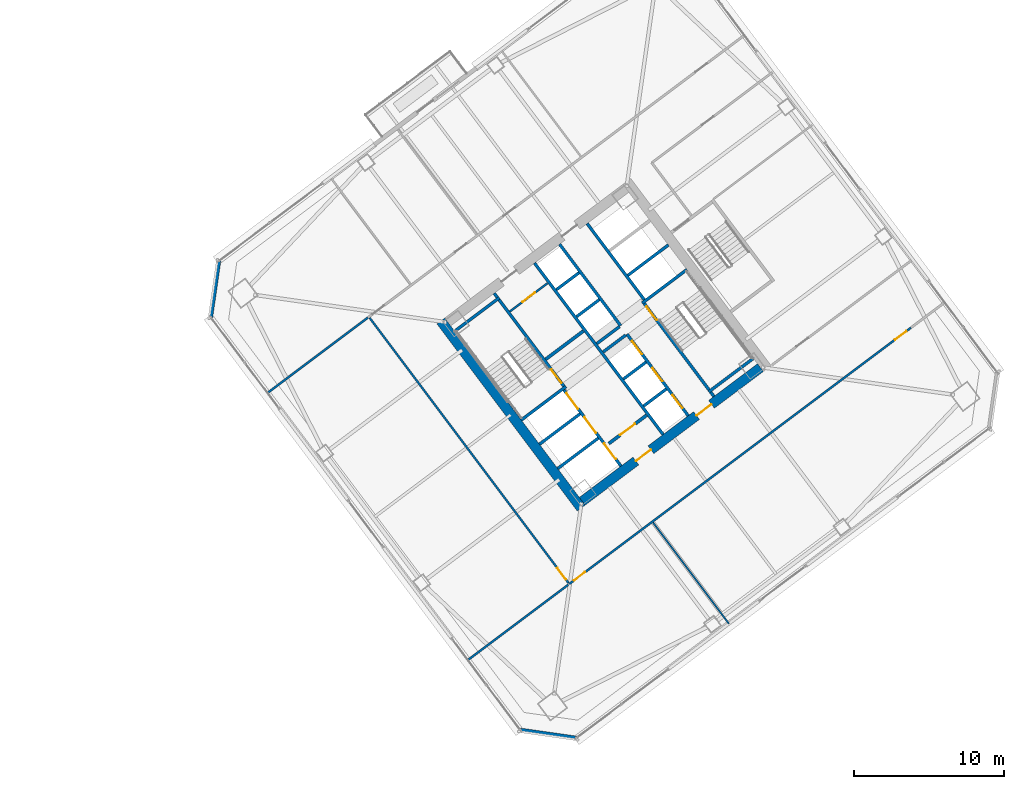
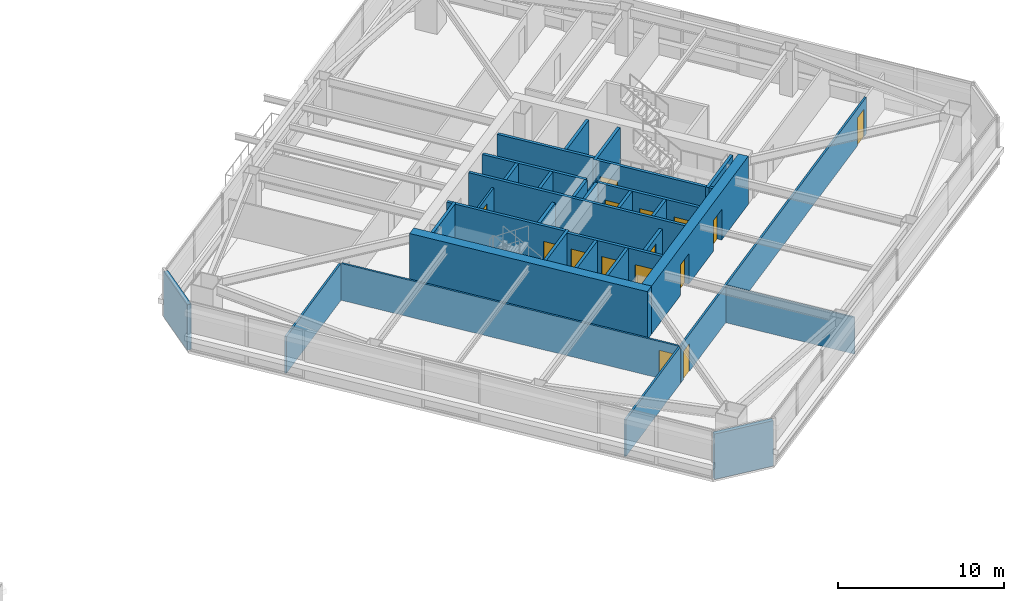
# One storey, part 35 of 44: 32 walls, 15 doors, 15 openings.
"""IFC4 building model written with IfcOpenShell, lengths in metres."""

from ifc_helpers import new_model, si_unit, direction, frame, frame_2d, origin, place, context, subcontext, project, spatial, rectangle, extrude, material, layer, layer_set, type_object, element, fill, save


model = new_model("IFC4")

# Units and contexts
model_context = context("Model", 3, precision=1e-05, world=origin(), true_north=direction((0.0, 1.0)))
body_context = subcontext(model_context, "Body", "Model", "MODEL_VIEW")
ifc_project = project(units=[si_unit("LENGTHUNIT", "METRE"), si_unit("AREAUNIT", "SQUARE_METRE"), si_unit("VOLUMEUNIT", "CUBIC_METRE"), si_unit("PLANEANGLEUNIT", "RADIAN"), si_unit("MASSUNIT", "GRAM", prefix="KILO")], contexts=[model_context])

# Site, building, storey
site_placement = place(None, origin())
site = spatial("IfcSite", under=ifc_project, at=site_placement, CompositionType="ELEMENT")
building_placement = place(site_placement, origin())
building = spatial("IfcBuilding", under=site, at=building_placement, Name="Tashvorn Skyway Center", CompositionType="ELEMENT")
storey_placement = place(building_placement, frame((0.0, 0.0, 92.050048828125)))
storey = spatial("IfcBuildingStorey", under=building, at=storey_placement, Name="L24", CompositionType="ELEMENT", Elevation=92.050048828125)

# Wall
ifc_material_1 = material(Name="Concrete C60/75", Category="concrete")
ifc_layer_1 = layer(ifc_material_1, 0.64990234375)
ifc_layer_set_1 = layer_set([ifc_layer_1], Name="Concrete C60/75")
wall_type_1 = type_object("IfcWallType", Name="WALL-CORE-650", PredefinedType="SHEAR", material=ifc_layer_set_1)
wall_1_placement = place(storey_placement, frame((112.47607421875, 21.10693359375, 0.0), z_axis=(0.0, 0.0, 1.0), x_axis=(-0.600005007985, 0.799996243986, 0.0)))
element("IfcWall", 1, at=wall_1_placement, inside=storey, type_object=wall_type_1, Name="Tower 2 L24 West Core Shear Wall", PredefinedType="SHEAR", context=body_context, shape_type="SweptSolid", body=[
    extrude(rectangle(XDim=15.60009765625, YDim=0.64990234375, at=frame_2d((7.800048828125, 0.0))), origin(), (0.0, 0.0, 1.0), 3.550048828125),
])

# Wall, openings, doors
wall_2_placement = place(storey_placement, frame((124.428955078125, 30.47802734375, 0.0), z_axis=(0.0, 0.0, 1.0), x_axis=(-0.799998028465, -0.600002628705, 0.0)))
wall_2 = element("IfcWall", 2, at=wall_2_placement, inside=storey, type_object=wall_type_1, Name="Tower 2 L24 South Core Shear Wall", PredefinedType="SHEAR", context=body_context, shape_type="SweptSolid", body=[
    extrude(rectangle(XDim=14.85986328125, YDim=0.64990234375, at=frame_2d((7.429931640625, 0.0))), origin(), (0.0, 0.0, 1.0), 3.550048828125),
])
opening_1_placement = place(wall_2_placement, frame((9.1298828125, 0.0, 0.0)))
opening_1 = element("IfcOpeningElement", 3, at=opening_1_placement, cuts=wall_2, Name="Opening D-FFL-1250", PredefinedType="OPENING", context=body_context, shape_type="SweptSolid", body=[
    extrude(rectangle(XDim=1.25, YDim=2.25, at=frame_2d((0.625, 1.125))), frame((0.0, 0.3349609375, 0.0), z_axis=(0.0, -1.0, 0.0), x_axis=(1.0, 0.0, 0.0)), (0.0, 0.0, 1.0), 0.669921875),
])
opening_2_placement = place(wall_2_placement, frame((4.080078125, 0.0, 0.0)))
opening_2 = element("IfcOpeningElement", 4, at=opening_2_placement, cuts=wall_2, Name="Opening D-FFL-1250", PredefinedType="OPENING", context=body_context, shape_type="SweptSolid", body=[
    extrude(rectangle(XDim=1.25, YDim=2.25, at=frame_2d((0.625, 1.125))), frame((0.0, 0.3349609375, 0.0), z_axis=(0.0, -1.0, 0.0), x_axis=(1.0, 0.0, 0.0)), (0.0, 0.0, 1.0), 0.669921875),
])
ifc_material_2 = material(Name="Hollow galvanized steel fire door assembly", Category="steel")
door_type_1 = type_object("IfcDoorType", Name="DOOR-FFL-1250", OperationType="NOTDEFINED", PredefinedType="DOOR", material=ifc_material_2)
door_1_placement = place(opening_1_placement, origin())
door_1 = element("IfcDoor", 5, at=door_1_placement, inside=storey, type_object=door_type_1, Name="Tower 2 L24 Core South Firefighting Exit Door", OperationType="SINGLE_SWING_LEFT", OverallHeight=2.25, OverallWidth=1.25, PredefinedType="DOOR", context=body_context, shape_type="SweptSolid", body=[
    extrude(rectangle(XDim=1.25, YDim=2.25, at=frame_2d((0.625, 1.125))), frame((0.0, 0.02490234375, 0.0), z_axis=(0.0, -1.0, 0.0), x_axis=(1.0, 0.0, 0.0)), (0.0, 0.0, 1.0), 0.050048828125),
])
fill(opening_1, door_1)
door_2_placement = place(opening_2_placement, origin())
door_2 = element("IfcDoor", 6, at=door_2_placement, inside=storey, type_object=door_type_1, Name="Tower 2 L24 Core South Lift Lobby Door", OperationType="SINGLE_SWING_RIGHT", OverallHeight=2.25, OverallWidth=1.25, PredefinedType="DOOR", context=body_context, shape_type="SweptSolid", body=[
    extrude(rectangle(XDim=1.25, YDim=2.25, at=frame_2d((0.625, 1.125))), frame((0.0, 0.02490234375, 0.0), z_axis=(0.0, -1.0, 0.0), x_axis=(1.0, 0.0, 0.0)), (0.0, 0.0, 1.0), 0.050048828125),
])
fill(opening_2, door_2)

# Walls
ifc_material_3 = material(Name="Precast concrete C40/50", Category="concrete")
ifc_layer_2 = layer(ifc_material_3, 0.280029296875)
ifc_layer_set_2 = layer_set([ifc_layer_2], Name="Precast concrete C40/50")
wall_type_2 = type_object("IfcWallType", Name="WALL-EXT-280", PredefinedType="SOLIDWALL", material=ifc_layer_set_2)
for number, where, z_axis, x_axis, name in (
    (7, (112.179931640625, 5.760009765625, 0.0), (0.0, 0.0, 1.0), (-0.989948214866, 0.141430307517, 0.0), "Tower 2 L24 SW Precast Chamfer Wall"),
    (8, (87.760009765625, 33.820068359375, 0.0), (0.0, 0.0, 1.0), (0.141430307517, 0.989948214866, 0.0), "Tower 2 L24 NW Precast Chamfer Wall"),
):
    element("IfcWall", number, at=place(storey_placement, frame(where, z_axis=z_axis, x_axis=x_axis)), inside=storey, type_object=wall_type_2, Name=name, PredefinedType="SOLIDWALL", context=body_context, shape_type="SweptSolid", body=[
        extrude(rectangle(XDim=3.818359375, YDim=0.280029296875, at=frame_2d((1.9091796875, 0.0))), origin(), (0.0, 0.0, 1.0), 3.349853515625),
    ])
ifc_material_4 = material(Name="Concrete C40/50", Category="concrete")
ifc_layer_3 = layer(ifc_material_4, 0.219970703125)
ifc_layer_set_3 = layer_set([ifc_layer_3], Name="Concrete C40/50")
wall_type_3 = type_object("IfcWallType", Name="WALL-FFL-220", PredefinedType="SOLIDWALL", material=ifc_layer_set_3)
wall_3_placement = place(storey_placement, frame((110.10400390625, 31.028076171875, 0.0), z_axis=(0.0, 0.0, 1.0), x_axis=(0.800018601094, 0.59997519774, 0.0)))
element("IfcWall", 9, at=wall_3_placement, inside=storey, type_object=wall_type_3, Name="Tower 2 L24 Firefighting Lobby North Wall", PredefinedType="SOLIDWALL", context=body_context, shape_type="SweptSolid", body=[
    extrude(rectangle(XDim=3.14990234375, YDim=0.219970703125, at=frame_2d((1.574951171875, 0.0))), origin(), (0.0, 0.0, 1.0), 2.702880859375),
])

# Wall, opening, door
wall_4_placement = place(storey_placement, frame((114.31591796875, 25.412109375, 0.0), z_axis=(0.0, 0.0, 1.0), x_axis=(0.800018601094, 0.59997519774, 0.0)))
wall_4 = element("IfcWall", 10, at=wall_4_placement, inside=storey, type_object=wall_type_3, Name="Tower 2 L24 Firefighting Lobby South Wall", PredefinedType="SOLIDWALL", context=body_context, shape_type="SweptSolid", body=[
    extrude(rectangle(XDim=3.14990234375, YDim=0.219970703125, at=frame_2d((1.574951171875, 0.0))), origin(), (0.0, 0.0, 1.0), 2.702880859375),
])
opening_3_placement = place(wall_4_placement, frame((0.949951171875, 0.0, 0.0)))
opening_3 = element("IfcOpeningElement", 11, at=opening_3_placement, cuts=wall_4, Name="Opening D-FFL-1250", PredefinedType="OPENING", context=body_context, shape_type="SweptSolid", body=[
    extrude(rectangle(XDim=1.25, YDim=2.25, at=frame_2d((0.625, 1.125))), frame((0.0, 0.119873046875, 0.0), z_axis=(0.0, -1.0, 0.0), x_axis=(1.0, 0.0, 0.0)), (0.0, 0.0, 1.0), 0.239990234375),
])
door_3_placement = place(opening_3_placement, origin())
door_3 = element("IfcDoor", 12, at=door_3_placement, inside=storey, type_object=door_type_1, Name="Tower 2 L24 Firefighting Lobby Egress Door", OperationType="SINGLE_SWING_LEFT", OverallHeight=2.25, OverallWidth=1.25, PredefinedType="DOOR", context=body_context, shape_type="SweptSolid", body=[
    extrude(rectangle(XDim=1.25, YDim=2.25, at=frame_2d((0.625, 1.125))), frame((0.0, 0.02490234375, 0.0), z_axis=(0.0, -1.0, 0.0), x_axis=(1.0, 0.0, 0.0)), (0.0, 0.0, 1.0), 0.050048828125),
])
fill(opening_3, door_3)

# Wall
ifc_material_5 = material(Name="Gypsum board on cold-formed steel stud framing", Category="steel")
ifc_layer_4 = layer(ifc_material_5, 0.110107421875)
ifc_layer_set_4 = layer_set([ifc_layer_4], Name="Gypsum board on cold-formed steel stud framing")
wall_type_4 = type_object("IfcWallType", Name="WALL-PART-110", PredefinedType="PARTITIONING", material=ifc_layer_set_4)
wall_5_placement = place(storey_placement, frame((122.327880859375, 13.39599609375, 0.0), z_axis=(0.0, 0.0, 1.0), x_axis=(-0.59999536615, 0.800003475366, 0.0)))
element("IfcWall", 13, at=wall_5_placement, inside=storey, type_object=wall_type_4, Name="Tower 2 L24 South Suite Partition 1", PredefinedType="PARTITIONING", context=body_context, shape_type="SweptSolid", body=[
    extrude(rectangle(XDim=8.429931640625, YDim=0.110107421875, at=frame_2d((4.21484375, 0.0))), origin(), (0.0, 0.0, 1.0), 2.702880859375),
])

# Wall, openings, doors
ifc_layer_5 = layer(ifc_material_5, 0.135009765625)
ifc_layer_set_5 = layer_set([ifc_layer_5], Name="Gypsum board on cold-formed steel stud framing")
wall_type_5 = type_object("IfcWallType", Name="WALL-PART-135", PredefinedType="PARTITIONING", material=ifc_layer_set_5)
wall_6_placement = place(storey_placement, frame((134.4619140625, 33.134033203125, 0.0), z_axis=(0.0, 0.0, 1.0), x_axis=(-0.799996913945, -0.600004114717, 0.0)))
wall_6 = element("IfcWall", 14, at=wall_6_placement, inside=storey, type_object=wall_type_5, Name="Tower 2 L24 South Suite Wall", PredefinedType="PARTITIONING", context=body_context, shape_type="SweptSolid", body=[
    extrude(rectangle(XDim=28.47998046875, YDim=0.135009765625, at=frame_2d((14.239990234375, 0.0))), origin(), (0.0, 0.0, 1.0), 2.702880859375),
])
opening_4_placement = place(wall_6_placement, frame((27.14990234375, 0.0, 0.0)))
opening_4 = element("IfcOpeningElement", 15, at=opening_4_placement, cuts=wall_6, Name="Opening D-INT-950", PredefinedType="OPENING", context=body_context, shape_type="SweptSolid", body=[
    extrude(rectangle(XDim=0.949951171875, YDim=2.050048828125, at=frame_2d((0.47509765625, 1.02490234375))), frame((0.0, 0.077392578125, 0.0), z_axis=(0.0, -1.0, 0.0), x_axis=(1.0, 0.0, 0.0)), (0.0, 0.0, 1.0), 0.155029296875),
])
opening_5_placement = place(wall_6_placement, frame((0.3798828125, 0.0, 0.0)))
opening_5 = element("IfcOpeningElement", 16, at=opening_5_placement, cuts=wall_6, Name="Opening D-INT-950", PredefinedType="OPENING", context=body_context, shape_type="SweptSolid", body=[
    extrude(rectangle(XDim=0.949951171875, YDim=2.050048828125, at=frame_2d((0.47509765625, 1.02490234375))), frame((0.0, 0.077392578125, 0.0), z_axis=(0.0, -1.0, 0.0), x_axis=(1.0, 0.0, 0.0)), (0.0, 0.0, 1.0), 0.155029296875),
])
ifc_material_6 = material(Name="Solid-core architectural oak veneer door")
door_type_2 = type_object("IfcDoorType", Name="DOOR-INT-950", OperationType="NOTDEFINED", PredefinedType="DOOR", material=ifc_material_6)
door_4_placement = place(opening_4_placement, origin())
door_4 = element("IfcDoor", 17, at=door_4_placement, inside=storey, type_object=door_type_2, Name="Tower 2 L24 Gallery Showroom Door", OperationType="SINGLE_SWING_RIGHT", OverallHeight=2.050048828125, OverallWidth=0.949951171875, PredefinedType="DOOR", context=body_context, shape_type="SweptSolid", body=[
    extrude(rectangle(XDim=0.949951171875, YDim=2.050048828125, at=frame_2d((0.47509765625, 1.02490234375))), frame((0.0, 0.02490234375, 0.0), z_axis=(0.0, -1.0, 0.0), x_axis=(1.0, 0.0, 0.0)), (0.0, 0.0, 1.0), 0.050048828125),
])
fill(opening_4, door_4)
door_5_placement = place(opening_5_placement, origin())
door_5 = element("IfcDoor", 18, at=door_5_placement, inside=storey, type_object=door_type_2, Name="Tower 2 L24 Catering Pantry Door", OperationType="SINGLE_SWING_LEFT", OverallHeight=2.050048828125, OverallWidth=0.949951171875, PredefinedType="DOOR", context=body_context, shape_type="SweptSolid", body=[
    extrude(rectangle(XDim=0.949951171875, YDim=2.050048828125, at=frame_2d((0.47509765625, 1.02490234375))), frame((0.0, 0.02490234375, 0.0), z_axis=(0.0, -1.0, 0.0), x_axis=(1.0, 0.0, 0.0)), (0.0, 0.0, 1.0), 0.050048828125),
])
fill(opening_5, door_5)

# Wall, opening, door
wall_7_placement = place(storey_placement, frame((111.6298828125, 16.110107421875, 0.0), z_axis=(0.0, 0.0, 1.0), x_axis=(-0.599996466511, 0.800002650104, 0.0)))
wall_7 = element("IfcWall", 19, at=wall_7_placement, inside=storey, type_object=wall_type_5, Name="Tower 2 L24 West Inner Suite Wall", PredefinedType="PARTITIONING", context=body_context, shape_type="SweptSolid", body=[
    extrude(rectangle(XDim=22.10986328125, YDim=0.135009765625, at=frame_2d((11.054931640625, 0.0))), origin(), (0.0, 0.0, 1.0), 2.702880859375),
])
opening_6_placement = place(wall_7_placement, frame((0.300048828125, 0.0, 0.0)))
opening_6 = element("IfcOpeningElement", 20, at=opening_6_placement, cuts=wall_7, Name="Opening D-INT-950", PredefinedType="OPENING", context=body_context, shape_type="SweptSolid", body=[
    extrude(rectangle(XDim=0.949951171875, YDim=2.050048828125, at=frame_2d((0.47509765625, 1.02490234375))), frame((0.0, 0.077392578125, 0.0), z_axis=(0.0, -1.0, 0.0), x_axis=(1.0, 0.0, 0.0)), (0.0, 0.0, 1.0), 0.155029296875),
])
door_6_placement = place(opening_6_placement, origin())
door_6 = element("IfcDoor", 21, at=door_6_placement, inside=storey, type_object=door_type_2, Name="Tower 2 L24 Collaborative Studio Door", OperationType="SINGLE_SWING_RIGHT", OverallHeight=2.050048828125, OverallWidth=0.949951171875, PredefinedType="DOOR", context=body_context, shape_type="SweptSolid", body=[
    extrude(rectangle(XDim=0.949951171875, YDim=2.050048828125, at=frame_2d((0.47509765625, 1.02490234375))), frame((0.0, 0.02490234375, 0.0), z_axis=(0.0, -1.0, 0.0), x_axis=(1.0, 0.0, 0.0)), (0.0, 0.0, 1.0), 0.050048828125),
])
fill(opening_6, door_6)

# Walls
for number, where, z_axis, x_axis, name in (
    (22, (98.251953125, 33.81396484375, 0.0), (0.0, 0.0, 1.0), (-0.800003500202, -0.599995333035, 0.0), "Tower 2 L24 West Suite North Wall"),
    (23, (104.91796875, 10.97607421875, 0.0), (0.0, 0.0, 1.0), (0.800003500202, 0.599995333035, 0.0), "Tower 2 L24 West Suite South Wall"),
):
    element("IfcWall", number, at=place(storey_placement, frame(where, z_axis=z_axis, x_axis=x_axis)), inside=storey, type_object=wall_type_5, Name=name, PredefinedType="PARTITIONING", context=body_context, shape_type="SweptSolid", body=[
        extrude(rectangle(XDim=8.3701171875, YDim=0.135009765625, at=frame_2d((4.18505859375, 0.0))), origin(), (0.0, 0.0, 1.0), 2.702880859375),
    ])

# Wall, opening, door
ifc_layer_6 = layer(ifc_material_5, 0.135009765625)
ifc_layer_set_6 = layer_set([ifc_layer_6], Name="Gypsum board on cold-formed steel stud framing")
wall_type_6 = type_object("IfcWallType", Name="WALL-RATED-135", PredefinedType="PARTITIONING", material=ifc_layer_set_6)
wall_8_placement = place(storey_placement, frame((107.7099609375, 34.219970703125, 0.0), z_axis=(0.0, 0.0, 1.0), x_axis=(0.799981399002, 0.60002480053, 0.0)))
wall_8 = element("IfcWall", 24, at=wall_8_placement, inside=storey, type_object=wall_type_6, Name="Tower 2 L24 Core Service Lobby Wall", PredefinedType="PARTITIONING", context=body_context, shape_type="SweptSolid", body=[
    extrude(rectangle(XDim=3.150146484375, YDim=0.135009765625, at=frame_2d((1.5751953125, 0.0))), origin(), (0.0, 0.0, 1.0), 2.702880859375),
])
opening_7_placement = place(wall_8_placement, frame((1.050048828125, 0.0, 0.0)))
opening_7 = element("IfcOpeningElement", 25, at=opening_7_placement, cuts=wall_8, Name="Opening D-RT-1050", PredefinedType="OPENING", context=body_context, shape_type="SweptSolid", body=[
    extrude(rectangle(XDim=1.050048828125, YDim=2.199951171875, at=frame_2d((0.52490234375, 1.10009765625))), frame((0.0, 0.077392578125, 0.0), z_axis=(0.0, -1.0, 0.0), x_axis=(1.0, 0.0, 0.0)), (0.0, 0.0, 1.0), 0.155029296875),
])
door_type_3 = type_object("IfcDoorType", Name="DOOR-RATED-1050", OperationType="NOTDEFINED", PredefinedType="DOOR", material=ifc_material_2)
door_7_placement = place(opening_7_placement, origin())
door_7 = element("IfcDoor", 26, at=door_7_placement, inside=storey, type_object=door_type_3, Name="Tower 2 L24 Core Accessible WC Door", OperationType="SINGLE_SWING_LEFT", OverallHeight=2.199951171875, OverallWidth=1.050048828125, PredefinedType="DOOR", context=body_context, shape_type="SweptSolid", body=[
    extrude(rectangle(XDim=1.050048828125, YDim=2.199951171875, at=frame_2d((0.52490234375, 1.10009765625))), frame((0.0, 0.02490234375, 0.0), z_axis=(0.0, -1.0, 0.0), x_axis=(1.0, 0.0, 0.0)), (0.0, 0.0, 1.0), 0.050048828125),
])
fill(opening_7, door_7)

# Walls
ifc_layer_7 = layer(ifc_material_4, 0.199951171875)
ifc_layer_set_7 = layer_set([ifc_layer_7], Name="Concrete C40/50")
wall_type_7 = type_object("IfcWallType", Name="WALL-SHAFT-200", PredefinedType="SOLIDWALL", material=ifc_layer_set_7)
for number, where, z_axis, x_axis, name in (
    (27, (110.906005859375, 23.741943359375, 0.0), (0.0, 0.0, 1.0), (0.8, 0.6, 0.0), "Tower 2 L24 FSAE Shaft Divider"),
    (28, (109.68798828125, 25.365966796875, 0.0), (0.0, 0.0, 1.0), (0.8, 0.6, 0.0), "Tower 2 L24 FSAE Shaft Divider"),
):
    element("IfcWall", number, at=place(storey_placement, frame(where, z_axis=z_axis, x_axis=x_axis)), inside=storey, type_object=wall_type_7, Name=name, PredefinedType="SOLIDWALL", context=body_context, shape_type="SweptSolid", body=[
        extrude(rectangle(XDim=3.380126953125, YDim=0.199951171875, at=frame_2d((1.68994140625, 0.0))), origin(), (0.0, 0.0, 1.0), 3.349853515625),
    ])
wall_9_placement = place(storey_placement, frame((115.590087890625, 36.6298828125, 0.0), z_axis=(0.0, 0.0, 1.0), x_axis=(0.799973995579, 0.600034670996, 0.0)))
element("IfcWall", 29, at=wall_9_placement, inside=storey, type_object=wall_type_7, Name="Tower 2 L24 High-Rise Shaft Divider", PredefinedType="SOLIDWALL", context=body_context, shape_type="SweptSolid", body=[
    extrude(rectangle(XDim=3.3798828125, YDim=0.199951171875, at=frame_2d((1.68994140625, 0.0))), origin(), (0.0, 0.0, 1.0), 3.349853515625),
])

# Wall, openings, doors
wall_10_placement = place(storey_placement, frame((119.610107421875, 27.27001953125, 0.0), z_axis=(0.0, 0.0, 1.0), x_axis=(-0.600011488909, 0.79999138319, 0.0)))
wall_10 = element("IfcWall", 30, at=wall_10_placement, inside=storey, type_object=wall_type_7, Name="Tower 2 L24 Low-Rise Core Wall", PredefinedType="SOLIDWALL", context=body_context, shape_type="SweptSolid", body=[
    extrude(rectangle(XDim=6.800048828125, YDim=0.199951171875, at=frame_2d((3.39990234375, 0.0))), origin(), (0.0, 0.0, 1.0), 3.349853515625),
])
opening_8_placement = place(wall_10_placement, frame((0.625, 0.0, 0.0)))
opening_8 = element("IfcOpeningElement", 31, at=opening_8_placement, cuts=wall_10, Name="Opening LD-LR-T2-1-L24", PredefinedType="OPENING", context=body_context, shape_type="SweptSolid", body=[
    extrude(rectangle(XDim=1.10009765625, YDim=2.199951171875, at=frame_2d((0.550048828125, 1.10009765625))), frame((0.0, 0.10986328125, 0.0), z_axis=(0.0, -1.0, 0.0), x_axis=(1.0, 0.0, 0.0)), (0.0, 0.0, 1.0), 0.219970703125),
])
opening_9_placement = place(wall_10_placement, frame((2.875, 0.0, 0.0)))
opening_9 = element("IfcOpeningElement", 32, at=opening_9_placement, cuts=wall_10, Name="Opening LD-LR-T2-2-L24", PredefinedType="OPENING", context=body_context, shape_type="SweptSolid", body=[
    extrude(rectangle(XDim=1.10009765625, YDim=2.199951171875, at=frame_2d((0.550048828125, 1.10009765625))), frame((0.0, 0.10986328125, 0.0), z_axis=(0.0, -1.0, 0.0), x_axis=(1.0, 0.0, 0.0)), (0.0, 0.0, 1.0), 0.219970703125),
])
opening_10_placement = place(wall_10_placement, frame((5.125, 0.0, 0.0)))
opening_10 = element("IfcOpeningElement", 33, at=opening_10_placement, cuts=wall_10, Name="Opening LD-LR-T2-3-L24", PredefinedType="OPENING", context=body_context, shape_type="SweptSolid", body=[
    extrude(rectangle(XDim=1.10009765625, YDim=2.199951171875, at=frame_2d((0.550048828125, 1.10009765625))), frame((0.0, 0.10986328125, 0.0), z_axis=(0.0, -1.0, 0.0), x_axis=(1.0, 0.0, 0.0)), (0.0, 0.0, 1.0), 0.219970703125),
])
ifc_material_7 = material(Name="Stainless steel landing door", Category="steel")
door_type_4 = type_object("IfcDoorType", Name="DOOR-LIFT-1100", OperationType="SLIDING_TO_LEFT", PredefinedType="DOOR", material=ifc_material_7)
door_8_placement = place(opening_8_placement, origin())
door_8 = element("IfcDoor", 34, at=door_8_placement, inside=storey, type_object=door_type_4, Name="Lift LR-T2-1 L24 Landing Door", OperationType="SLIDING_TO_LEFT", OverallHeight=2.199951171875, OverallWidth=1.10009765625, PredefinedType="DOOR", context=body_context, shape_type="SweptSolid", body=[
    extrude(rectangle(XDim=1.10009765625, YDim=2.199951171875, at=frame_2d((0.550048828125, 1.10009765625))), frame((0.0, 0.02490234375, 0.0), z_axis=(0.0, -1.0, 0.0), x_axis=(1.0, 0.0, 0.0)), (0.0, 0.0, 1.0), 0.050048828125),
])
fill(opening_8, door_8)
door_9_placement = place(opening_9_placement, origin())
door_9 = element("IfcDoor", 35, at=door_9_placement, inside=storey, type_object=door_type_4, Name="Lift LR-T2-2 L24 Landing Door", OperationType="SLIDING_TO_LEFT", OverallHeight=2.199951171875, OverallWidth=1.10009765625, PredefinedType="DOOR", context=body_context, shape_type="SweptSolid", body=[
    extrude(rectangle(XDim=1.10009765625, YDim=2.199951171875, at=frame_2d((0.550048828125, 1.10009765625))), frame((0.0, 0.02490234375, 0.0), z_axis=(0.0, -1.0, 0.0), x_axis=(1.0, 0.0, 0.0)), (0.0, 0.0, 1.0), 0.050048828125),
])
fill(opening_9, door_9)
door_10_placement = place(opening_10_placement, origin())
door_10 = element("IfcDoor", 36, at=door_10_placement, inside=storey, type_object=door_type_4, Name="Lift LR-T2-3 L24 Landing Door", OperationType="SLIDING_TO_LEFT", OverallHeight=2.199951171875, OverallWidth=1.10009765625, PredefinedType="DOOR", context=body_context, shape_type="SweptSolid", body=[
    extrude(rectangle(XDim=1.10009765625, YDim=2.199951171875, at=frame_2d((0.550048828125, 1.10009765625))), frame((0.0, 0.02490234375, 0.0), z_axis=(0.0, -1.0, 0.0), x_axis=(1.0, 0.0, 0.0)), (0.0, 0.0, 1.0), 0.050048828125),
])
fill(opening_10, door_10)

# Walls
wall_11_placement = place(storey_placement, frame((116.64599609375, 27.922119140625, 0.0), z_axis=(0.0, 0.0, 1.0), x_axis=(0.8, 0.6, 0.0)))
element("IfcWall", 37, at=wall_11_placement, inside=storey, type_object=wall_type_7, Name="Tower 2 L24 Low-Rise Shaft Divider", PredefinedType="SOLIDWALL", context=body_context, shape_type="SweptSolid", body=[
    extrude(rectangle(XDim=1.8798828125, YDim=0.199951171875, at=frame_2d((0.93994140625, 0.0))), origin(), (0.0, 0.0, 1.0), 3.349853515625),
])
wall_12_placement = place(storey_placement, frame((115.2958984375, 29.721923828125, 0.0), z_axis=(0.0, 0.0, 1.0), x_axis=(0.799984418148, 0.600020775241, 0.0)))
element("IfcWall", 38, at=wall_12_placement, inside=storey, type_object=wall_type_7, Name="Tower 2 L24 Low-Rise Shaft Divider", PredefinedType="SOLIDWALL", context=body_context, shape_type="SweptSolid", body=[
    extrude(rectangle(XDim=1.880126953125, YDim=0.199951171875, at=frame_2d((0.93994140625, 0.0))), origin(), (0.0, 0.0, 1.0), 3.349853515625),
])
wall_13_placement = place(storey_placement, frame((113.946044921875, 31.52197265625, 0.0), z_axis=(0.0, 0.0, 1.0), x_axis=(0.8, 0.6, 0.0)))
element("IfcWall", 39, at=wall_13_placement, inside=storey, type_object=wall_type_7, Name="Tower 2 L24 Low-Rise Shaft Divider", PredefinedType="SOLIDWALL", context=body_context, shape_type="SweptSolid", body=[
    extrude(rectangle(XDim=1.8798828125, YDim=0.199951171875, at=frame_2d((0.93994140625, 0.0))), origin(), (0.0, 0.0, 1.0), 3.349853515625),
])
wall_14_placement = place(storey_placement, frame((115.110107421875, 33.27001953125, 0.0), z_axis=(0.0, 0.0, 1.0), x_axis=(-0.600011488909, 0.79999138319, 0.0)))
element("IfcWall", 40, at=wall_14_placement, inside=storey, type_object=wall_type_7, Name="Tower 2 L24 Mid-Rise Core Wall", PredefinedType="SOLIDWALL", context=body_context, shape_type="SweptSolid", body=[
    extrude(rectangle(XDim=6.800048828125, YDim=0.199951171875, at=frame_2d((3.39990234375, 0.0))), origin(), (0.0, 0.0, 1.0), 3.349853515625),
])
wall_15_placement = place(storey_placement, frame((113.52587890625, 32.08203125, 0.0), z_axis=(0.0, 0.0, 1.0), x_axis=(0.800046745961, 0.599937666993, 0.0)))
element("IfcWall", 41, at=wall_15_placement, inside=storey, type_object=wall_type_7, Name="Tower 2 L24 Mid-Rise Shaft Divider", PredefinedType="SOLIDWALL", context=body_context, shape_type="SweptSolid", body=[
    extrude(rectangle(XDim=1.880126953125, YDim=0.199951171875, at=frame_2d((0.93994140625, 0.0))), origin(), (0.0, 0.0, 1.0), 3.349853515625),
])
wall_16_placement = place(storey_placement, frame((112.176025390625, 33.882080078125, 0.0), z_axis=(0.0, 0.0, 1.0), x_axis=(0.8, 0.6, 0.0)))
element("IfcWall", 42, at=wall_16_placement, inside=storey, type_object=wall_type_7, Name="Tower 2 L24 Mid-Rise Shaft Divider", PredefinedType="SOLIDWALL", context=body_context, shape_type="SweptSolid", body=[
    extrude(rectangle(XDim=1.8798828125, YDim=0.199951171875, at=frame_2d((0.93994140625, 0.0))), origin(), (0.0, 0.0, 1.0), 3.349853515625),
])
wall_17_placement = place(storey_placement, frame((110.825927734375, 35.681884765625, 0.0), z_axis=(0.0, 0.0, 1.0), x_axis=(0.799984418148, 0.600020775241, 0.0)))
element("IfcWall", 43, at=wall_17_placement, inside=storey, type_object=wall_type_7, Name="Tower 2 L24 Mid-Rise Shaft Divider", PredefinedType="SOLIDWALL", context=body_context, shape_type="SweptSolid", body=[
    extrude(rectangle(XDim=1.880126953125, YDim=0.199951171875, at=frame_2d((0.93994140625, 0.0))), origin(), (0.0, 0.0, 1.0), 3.349853515625),
])

# Wall, opening, door
ifc_layer_8 = layer(ifc_material_4, 0.199951171875)
ifc_layer_set_8 = layer_set([ifc_layer_8], Name="Concrete C40/50")
wall_type_8 = type_object("IfcWallType", Name="WALL-STSHF-200", PredefinedType="SHEAR", material=ifc_layer_set_8)
wall_18_placement = place(storey_placement, frame((111.43994140625, 29.080078125, 0.0), z_axis=(0.0, 0.0, 1.0), x_axis=(-0.600009827119, 0.799992629566, 0.0)))
wall_18 = element("IfcWall", 44, at=wall_18_placement, inside=storey, type_object=wall_type_8, Name="Tower 2 L24 Stair 1 Enclosure Wall", PredefinedType="SHEAR", context=body_context, shape_type="SweptSolid", body=[
    extrude(rectangle(XDim=7.949951171875, YDim=0.199951171875, at=frame_2d((3.97509765625, 0.0))), origin(), (0.0, 0.0, 1.0), 3.349853515625),
])
opening_11_placement = place(wall_18_placement, frame((0.449951171875, 0.0, 0.0)))
opening_11 = element("IfcOpeningElement", 45, at=opening_11_placement, cuts=wall_18, Name="Opening D-ST-1150", PredefinedType="OPENING", context=body_context, shape_type="SweptSolid", body=[
    extrude(rectangle(XDim=1.14990234375, YDim=2.199951171875, at=frame_2d((0.574951171875, 1.10009765625))), frame((0.0, 0.10986328125, 0.0), z_axis=(0.0, -1.0, 0.0), x_axis=(1.0, 0.0, 0.0)), (0.0, 0.0, 1.0), 0.219970703125),
])
door_type_5 = type_object("IfcDoorType", Name="DOOR-STAIR-1150", OperationType="NOTDEFINED", PredefinedType="DOOR", material=ifc_material_2)
door_11_placement = place(opening_11_placement, origin())
door_11 = element("IfcDoor", 46, at=door_11_placement, inside=storey, type_object=door_type_5, Name="Tower 2 L24 Exit Stair 1 Door", OperationType="SINGLE_SWING_RIGHT", OverallHeight=2.199951171875, OverallWidth=1.14990234375, PredefinedType="DOOR", context=body_context, shape_type="SweptSolid", body=[
    extrude(rectangle(XDim=1.14990234375, YDim=2.199951171875, at=frame_2d((0.574951171875, 1.10009765625))), frame((0.0, 0.02490234375, 0.0), z_axis=(0.0, -1.0, 0.0), x_axis=(1.0, 0.0, 0.0)), (0.0, 0.0, 1.0), 0.050048828125),
])
fill(opening_11, door_11)

# Walls
for number, where, z_axis, x_axis, name in (
    (47, (108.47607421875, 26.98193359375, 0.0), (0.0, 0.0, 1.0), (0.799984290658, 0.600020945218, 0.0), "Tower 2 L24 Stair 1 South Wall"),
    (48, (104.035888671875, 32.902099609375, 0.0), (0.0, 0.0, 1.0), (0.800039270442, 0.59994763584, 0.0), "Tower 2 L24 Stair 1 North Wall"),
):
    element("IfcWall", number, at=place(storey_placement, frame(where, z_axis=z_axis, x_axis=x_axis)), inside=storey, type_object=wall_type_8, Name=name, PredefinedType="SHEAR", context=body_context, shape_type="SweptSolid", body=[
        extrude(rectangle(XDim=3.72998046875, YDim=0.199951171875, at=frame_2d((1.864990234375, 0.0))), origin(), (0.0, 0.0, 1.0), 3.349853515625),
    ])

# Wall, opening, door
wall_19_placement = place(storey_placement, frame((116.56005859375, 34.919921875, 0.0), z_axis=(0.0, 0.0, 1.0), x_axis=(0.600009827119, -0.799992629566, 0.0)))
wall_19 = element("IfcWall", 49, at=wall_19_placement, inside=storey, type_object=wall_type_8, Name="Tower 2 L24 Stair 2 Enclosure Wall", PredefinedType="SHEAR", context=body_context, shape_type="SweptSolid", body=[
    extrude(rectangle(XDim=7.949951171875, YDim=0.199951171875, at=frame_2d((3.97509765625, 0.0))), origin(), (0.0, 0.0, 1.0), 3.349853515625),
])
opening_12_placement = place(wall_19_placement, frame((0.449951171875, 0.0, 0.0)))
opening_12 = element("IfcOpeningElement", 50, at=opening_12_placement, cuts=wall_19, Name="Opening D-ST-1150", PredefinedType="OPENING", context=body_context, shape_type="SweptSolid", body=[
    extrude(rectangle(XDim=1.14990234375, YDim=2.199951171875, at=frame_2d((0.574951171875, 1.10009765625))), frame((0.0, 0.10986328125, 0.0), z_axis=(0.0, -1.0, 0.0), x_axis=(1.0, 0.0, 0.0)), (0.0, 0.0, 1.0), 0.219970703125),
])
door_12_placement = place(opening_12_placement, origin())
door_12 = element("IfcDoor", 51, at=door_12_placement, inside=storey, type_object=door_type_5, Name="Tower 2 L24 Exit Stair 2 Door", OperationType="SINGLE_SWING_RIGHT", OverallHeight=2.199951171875, OverallWidth=1.14990234375, PredefinedType="DOOR", context=body_context, shape_type="SweptSolid", body=[
    extrude(rectangle(XDim=1.14990234375, YDim=2.199951171875, at=frame_2d((0.574951171875, 1.10009765625))), frame((0.0, 0.02490234375, 0.0), z_axis=(0.0, -1.0, 0.0), x_axis=(1.0, 0.0, 0.0)), (0.0, 0.0, 1.0), 0.050048828125),
])
fill(opening_12, door_12)

# Walls
for number, where, z_axis, x_axis, name in (
    (52, (116.5400390625, 34.780029296875, 0.0), (0.0, 0.0, 1.0), (0.799984290658, 0.600020945218, 0.0), "Tower 2 L24 Stair 2 North Wall"),
    (53, (120.97998046875, 28.860107421875, 0.0), (0.0, 0.0, 1.0), (0.800039270442, 0.59994763584, 0.0), "Tower 2 L24 Stair 2 South Wall"),
):
    element("IfcWall", number, at=place(storey_placement, frame(where, z_axis=z_axis, x_axis=x_axis)), inside=storey, type_object=wall_type_8, Name=name, PredefinedType="SHEAR", context=body_context, shape_type="SweptSolid", body=[
        extrude(rectangle(XDim=3.72998046875, YDim=0.199951171875, at=frame_2d((1.864990234375, 0.0))), origin(), (0.0, 0.0, 1.0), 3.349853515625),
    ])
wall_20_placement = place(storey_placement, frame((117.93798828125, 26.01611328125, 0.0), z_axis=(0.0, 0.0, 1.0), x_axis=(-0.600005463273, 0.799995902516, 0.0)))
element("IfcWall", 54, at=wall_20_placement, inside=storey, type_object=wall_type_8, Name="Tower 2 L24 Firefighting Lobby East Smoke Barrier", PredefinedType="SHEAR", context=body_context, shape_type="SweptSolid", body=[
    extrude(rectangle(XDim=14.300048828125, YDim=0.199951171875, at=frame_2d((7.14990234375, 0.0))), origin(), (0.0, 0.0, 1.0), 3.349853515625),
])

# Wall, openings, doors
wall_21_placement = place(storey_placement, frame((115.1298828125, 23.909912109375, 0.0), z_axis=(0.0, 0.0, 1.0), x_axis=(-0.599975393228, 0.800018454488, 0.0)))
wall_21 = element("IfcWall", 55, at=wall_21_placement, inside=storey, type_object=wall_type_8, Name="Tower 2 L24 FSAE and Goods Shaft Front Wall", PredefinedType="SHEAR", context=body_context, shape_type="SweptSolid", body=[
    extrude(rectangle(XDim=6.349853515625, YDim=0.199951171875, at=frame_2d((3.1748046875, 0.0))), origin(), (0.0, 0.0, 1.0), 3.349853515625),
])
opening_13_placement = place(wall_21_placement, frame((4.77490234375, 0.0, 0.0)))
opening_13 = element("IfcOpeningElement", 56, at=opening_13_placement, cuts=wall_21, Name="Opening LD-FF-T2-1-L24", PredefinedType="OPENING", context=body_context, shape_type="SweptSolid", body=[
    extrude(rectangle(XDim=1.300048828125, YDim=2.25, at=frame_2d((0.64990234375, 1.125))), frame((0.0, 0.10986328125, 0.0), z_axis=(0.0, -1.0, 0.0), x_axis=(1.0, 0.0, 0.0)), (0.0, 0.0, 1.0), 0.219970703125),
])
opening_14_placement = place(wall_21_placement, frame((2.77490234375, 0.0, 0.0)))
opening_14 = element("IfcOpeningElement", 57, at=opening_14_placement, cuts=wall_21, Name="Opening LD-FF-T2-2-L24", PredefinedType="OPENING", context=body_context, shape_type="SweptSolid", body=[
    extrude(rectangle(XDim=1.300048828125, YDim=2.25, at=frame_2d((0.64990234375, 1.125))), frame((0.0, 0.10986328125, 0.0), z_axis=(0.0, -1.0, 0.0), x_axis=(1.0, 0.0, 0.0)), (0.0, 0.0, 1.0), 0.219970703125),
])
opening_15_placement = place(wall_21_placement, frame((0.574951171875, 0.0, 0.0)))
opening_15 = element("IfcOpeningElement", 58, at=opening_15_placement, cuts=wall_21, Name="Opening LD-GD-T2-1-L24", PredefinedType="OPENING", context=body_context, shape_type="SweptSolid", body=[
    extrude(rectangle(XDim=1.300048828125, YDim=2.25, at=frame_2d((0.64990234375, 1.125))), frame((0.0, 0.10986328125, 0.0), z_axis=(0.0, -1.0, 0.0), x_axis=(1.0, 0.0, 0.0)), (0.0, 0.0, 1.0), 0.219970703125),
])
ifc_material_8 = material(Name="Stainless steel heavy-duty landing door", Category="steel")
door_type_6 = type_object("IfcDoorType", Name="DOOR-LIFT-1300", OperationType="SLIDING_TO_LEFT", PredefinedType="DOOR", material=ifc_material_8)
door_13_placement = place(opening_13_placement, origin())
door_13 = element("IfcDoor", 59, at=door_13_placement, inside=storey, type_object=door_type_6, Name="Lift FF-T2-1 L24 Landing Door", OperationType="SLIDING_TO_LEFT", OverallHeight=2.25, OverallWidth=1.300048828125, PredefinedType="DOOR", context=body_context, shape_type="SweptSolid", body=[
    extrude(rectangle(XDim=1.300048828125, YDim=2.25, at=frame_2d((0.64990234375, 1.125))), frame((0.0, 0.02490234375, 0.0), z_axis=(0.0, -1.0, 0.0), x_axis=(1.0, 0.0, 0.0)), (0.0, 0.0, 1.0), 0.050048828125),
])
fill(opening_13, door_13)
door_14_placement = place(opening_14_placement, origin())
door_14 = element("IfcDoor", 60, at=door_14_placement, inside=storey, type_object=door_type_6, Name="Lift FF-T2-2 L24 Landing Door", OperationType="SLIDING_TO_LEFT", OverallHeight=2.25, OverallWidth=1.300048828125, PredefinedType="DOOR", context=body_context, shape_type="SweptSolid", body=[
    extrude(rectangle(XDim=1.300048828125, YDim=2.25, at=frame_2d((0.64990234375, 1.125))), frame((0.0, 0.02490234375, 0.0), z_axis=(0.0, -1.0, 0.0), x_axis=(1.0, 0.0, 0.0)), (0.0, 0.0, 1.0), 0.050048828125),
])
fill(opening_14, door_14)
door_15_placement = place(opening_15_placement, origin())
door_15 = element("IfcDoor", 61, at=door_15_placement, inside=storey, type_object=door_type_6, Name="Lift GD-T2-1 L24 Landing Door", OperationType="SLIDING_TO_LEFT", OverallHeight=2.25, OverallWidth=1.300048828125, PredefinedType="DOOR", context=body_context, shape_type="SweptSolid", body=[
    extrude(rectangle(XDim=1.300048828125, YDim=2.25, at=frame_2d((0.64990234375, 1.125))), frame((0.0, 0.02490234375, 0.0), z_axis=(0.0, -1.0, 0.0), x_axis=(1.0, 0.0, 0.0)), (0.0, 0.0, 1.0), 0.050048828125),
])
fill(opening_15, door_15)

# Wall
wall_22_placement = place(storey_placement, frame((112.8701171875, 40.090087890625, 0.0), z_axis=(0.0, 0.0, 1.0), x_axis=(0.599975393228, -0.800018454488, 0.0)))
element("IfcWall", 62, at=wall_22_placement, inside=storey, type_object=wall_type_8, Name="Tower 2 L24 High-Rise Lift Shaft Front Wall", PredefinedType="SHEAR", context=body_context, shape_type="SweptSolid", body=[
    extrude(rectangle(XDim=6.349853515625, YDim=0.199951171875, at=frame_2d((3.1748046875, 0.0))), origin(), (0.0, 0.0, 1.0), 3.349853515625),
])

save(model, "model.ifc")
